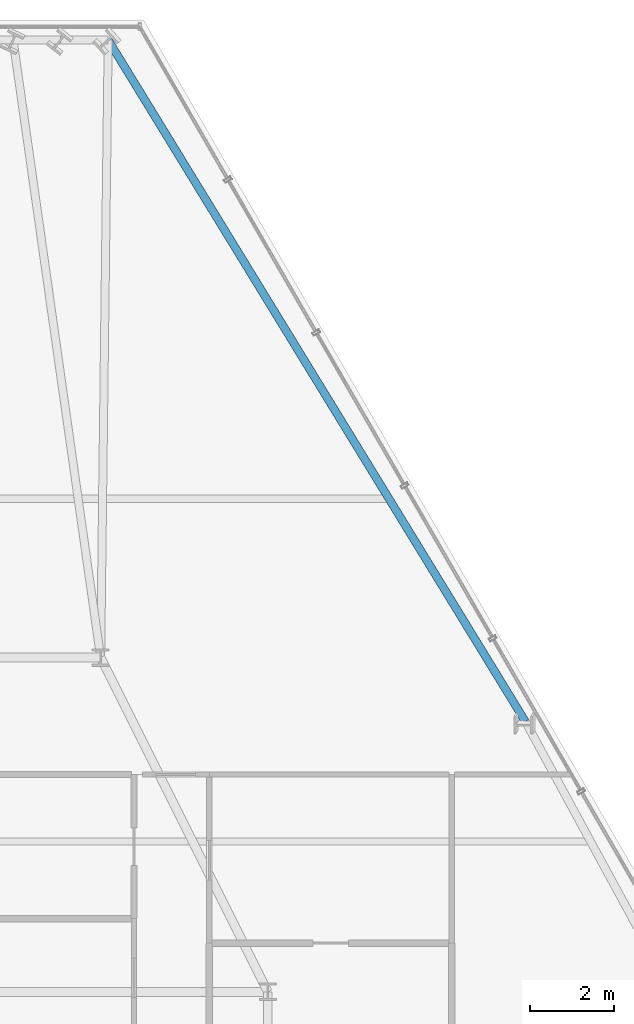
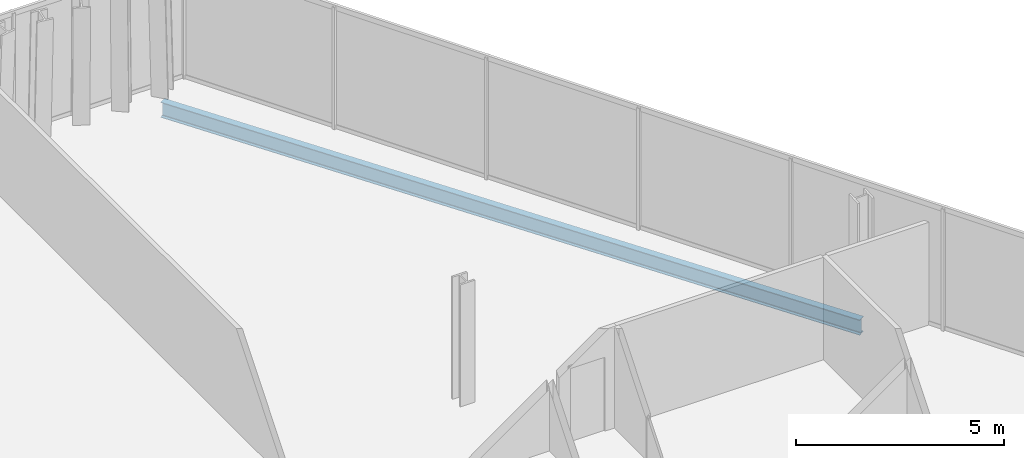
# One storey, part 24 of 33: 1 beam.
"""IFC4 building model written with IfcOpenShell, lengths in metres."""

from ifc_helpers import new_model, si_unit, direction, frame, origin, origin_2d, place, context, subcontext, project, spatial, i_section, extrude, material, material_profile, profile_set, type_object, element, save


model = new_model("IFC4")

# Units and contexts
model_context = context("Model", 3, precision=1e-05, world=origin(), true_north=direction((0.0, 1.0)))
body_context = subcontext(model_context, "Body", "Model", "MODEL_VIEW")
ifc_project = project(units=[si_unit("LENGTHUNIT", "METRE"), si_unit("AREAUNIT", "SQUARE_METRE"), si_unit("VOLUMEUNIT", "CUBIC_METRE"), si_unit("PLANEANGLEUNIT", "RADIAN"), si_unit("MASSUNIT", "GRAM", prefix="KILO")], contexts=[model_context])

# Site, building, storey
site_placement = place(None, origin())
site = spatial("IfcSite", under=ifc_project, at=site_placement, CompositionType="ELEMENT")
building_placement = place(site_placement, origin())
building = spatial("IfcBuilding", under=site, at=building_placement, Name="Ndaravel Arena Tower", CompositionType="ELEMENT")
storey_placement = place(building_placement, frame((0.0, 0.0, 187.800048828125)))
storey = spatial("IfcBuildingStorey", under=building, at=storey_placement, Name="L45", CompositionType="ELEMENT", Elevation=187.800048828125)

# Beam
ifc_material = material(Name="Steel S355", Category="steel")
ifc_material_profile = material_profile(ifc_material, i_section(OverallWidth=0.18994140625, OverallDepth=0.449951171875, WebThickness=0.009521484375, FlangeThickness=0.0146484375, FilletRadius=0.02099609375, at=origin_2d()), Name="IPE 450")
ifc_profile_set = profile_set([ifc_material_profile], Name="Steel S355")
beam_type = type_object("IfcBeamType", Name="BM-SPAN-IPE450", PredefinedType="SPANDREL", material=ifc_profile_set)
beam_placement = place(storey_placement, frame((55.963623046875, 29.666015625, -0.445068359375), z_axis=(-0.522125427863, 0.852868710634, 0.0), x_axis=(-0.852868710634, -0.522125427863, 0.0)))
element("IfcBeam", 1, at=beam_placement, inside=storey, type_object=beam_type, Name="L45 Perimeter Spandrel Beam SP-10", PredefinedType="SPANDREL", context=body_context, shape_type="SweptSolid", body=[
    extrude(i_section(OverallWidth=0.18994140625, OverallDepth=0.449951171875, WebThickness=0.009521484375, FlangeThickness=0.0146484375, FilletRadius=0.02099609375, at=origin_2d()), origin(), (0.0, 0.0, 1.0), 19.119873046875),
])

save(model, "model.ifc")
